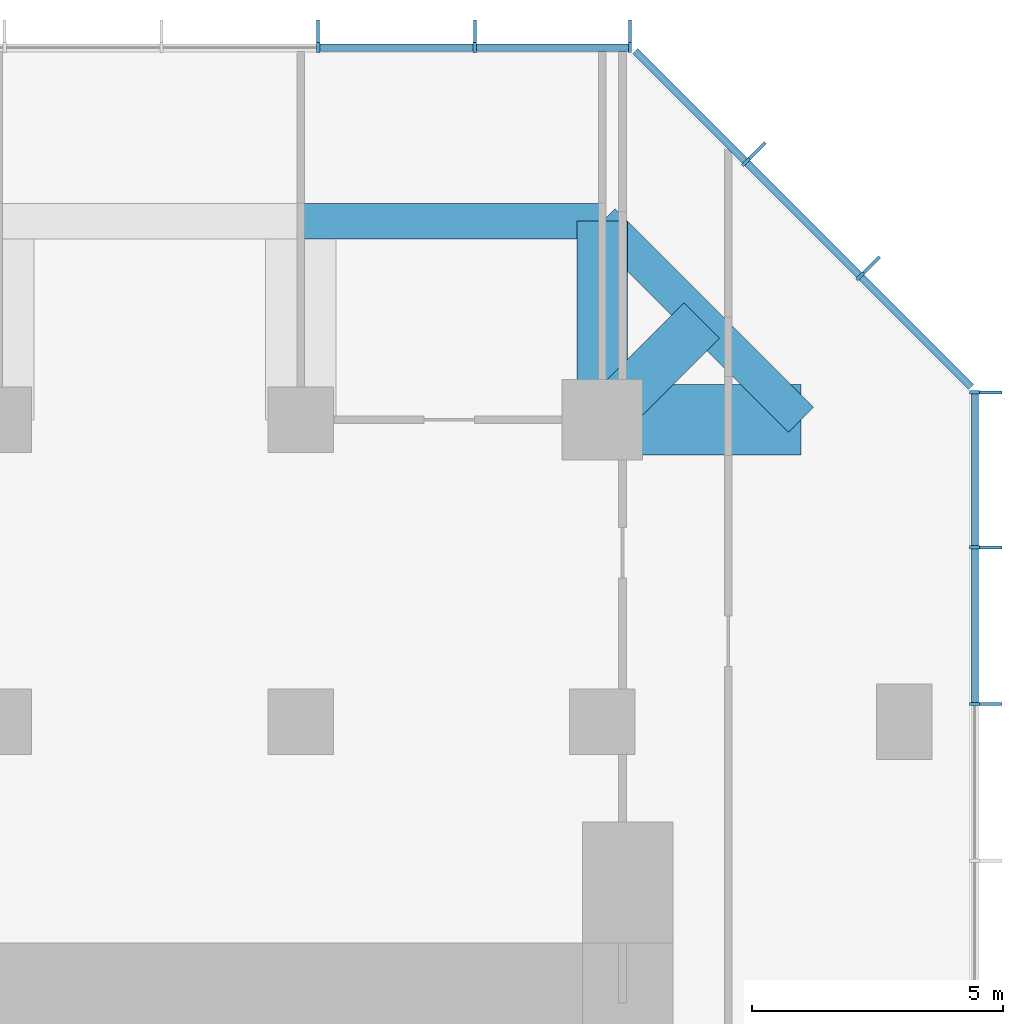
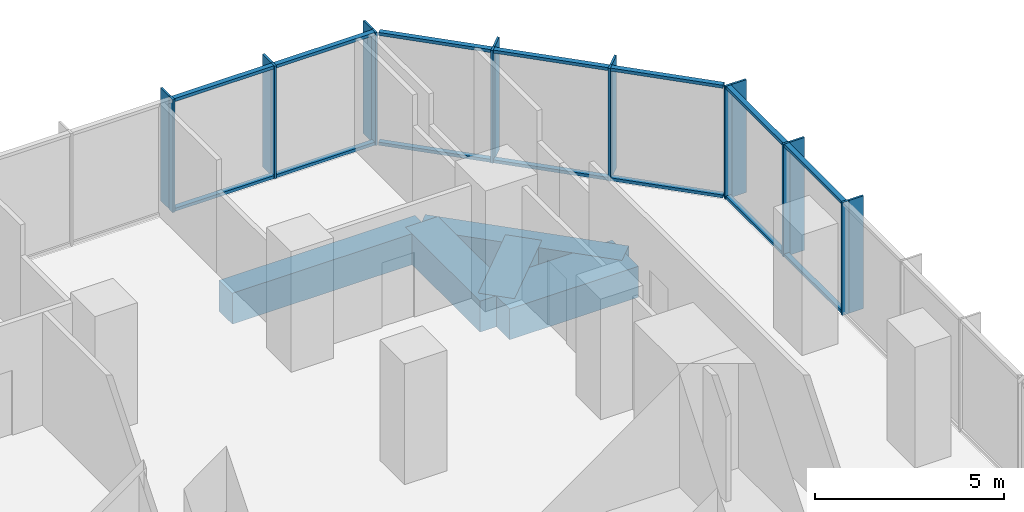
# One storey, part 6 of 11: 30 members, 5 beams, 3 elements without a shape of their own.
"""IFC4 building model written with IfcOpenShell, lengths in metres."""

from ifc_helpers import new_model, si_unit, direction, frame, origin, origin_2d, place, context, subcontext, project, spatial, rectangle, extrude, material, layer, layer_set, material_profile, profile_set, type_object, element, aggregate, save


model = new_model("IFC4")

# Units and contexts
model_context = context("Model", 3, precision=1e-05, world=origin(), true_north=direction((0.0, 1.0)))
body_context = subcontext(model_context, "Body", "Model", "MODEL_VIEW")
ifc_project = project(units=[si_unit("LENGTHUNIT", "METRE"), si_unit("AREAUNIT", "SQUARE_METRE"), si_unit("VOLUMEUNIT", "CUBIC_METRE"), si_unit("PLANEANGLEUNIT", "RADIAN"), si_unit("MASSUNIT", "GRAM", prefix="KILO")], contexts=[model_context])

# Site, building, storey
site_placement = place(None, origin())
site = spatial("IfcSite", under=ifc_project, at=site_placement, CompositionType="ELEMENT")
building_placement = place(site_placement, origin())
building = spatial("IfcBuilding", under=site, at=building_placement, Name="Highveld Stack Headquarters", CompositionType="ELEMENT")
storey_placement = place(building_placement, frame((0.0, 0.0, 208.39990234375)))
storey = spatial("IfcBuildingStorey", under=building, at=storey_placement, Name="L51", CompositionType="ELEMENT", Elevation=208.39990234375)

# Beams
ifc_material_1 = material(Name="Concrete C60/75", Category="concrete")
ifc_material_profile_1 = material_profile(ifc_material_1, rectangle(XDim=1.0, YDim=1.0, at=origin_2d()), Name="RC 1000x1000")
ifc_profile_set_1 = profile_set([ifc_material_profile_1], Name="Concrete C60/75")
beam_type_1 = type_object("IfcBeamType", Name="CANTILEVER RIB RC 1000x1000", PredefinedType="USERDEFINED", material=ifc_profile_set_1)
beam_1_placement = place(storey_placement, frame((18.0, 24.0, -0.75), z_axis=(0.0, 1.0, 0.0), x_axis=(-1.0, 0.0, 0.0)))
element("IfcBeam", 1, at=beam_1_placement, inside=storey, type_object=beam_type_1, Name="Cantilever rib 9/J L51", ObjectType="CANTILEVER RIB", PredefinedType="USERDEFINED", context=body_context, shape_type="SweptSolid", body=[
    extrude(rectangle(XDim=1.0, YDim=1.0, at=origin_2d()), origin(), (0.0, 0.0, 1.0), 3.949951171875),
])
beam_2_placement = place(storey_placement, frame((18.0, 24.0, -0.75), z_axis=(0.707106781187, 0.707106781187, 0.0), x_axis=(-0.707106781187, 0.707106781187, 0.0)))
element("IfcBeam", 2, at=beam_2_placement, inside=storey, type_object=beam_type_1, Name="Cantilever rib 9/J L51", ObjectType="CANTILEVER RIB", PredefinedType="USERDEFINED", context=body_context, shape_type="SweptSolid", body=[
    extrude(rectangle(XDim=1.0, YDim=1.0, at=origin_2d()), origin(), (0.0, 0.0, 1.0), 2.793212890625),
])
ifc_material_2 = material(Name="Concrete C60/75", Category="concrete")
ifc_material_profile_2 = material_profile(ifc_material_2, rectangle(XDim=1.39990234375, YDim=1.0, at=origin_2d()), Name="RC 1400x1000")
ifc_profile_set_2 = profile_set([ifc_material_profile_2], Name="Concrete C60/75")
beam_type_2 = type_object("IfcBeamType", Name="CANTILEVER RIB RC 1400x1000", PredefinedType="USERDEFINED", material=ifc_profile_set_2)
beam_3_placement = place(storey_placement, frame((18.0, 24.0, -0.75), z_axis=(1.0, 0.0, 0.0), x_axis=(0.0, 1.0, 0.0)))
element("IfcBeam", 3, at=beam_3_placement, inside=storey, type_object=beam_type_2, Name="Cantilever rib 9/J L51", ObjectType="CANTILEVER RIB", PredefinedType="USERDEFINED", context=body_context, shape_type="SweptSolid", body=[
    extrude(rectangle(XDim=1.39990234375, YDim=1.0, at=origin_2d()), origin(), (0.0, 0.0, 1.0), 3.949951171875),
])

# Curtain wall, members
ifc_material_3 = material(Name="Aluminium bronze anodised", Category="aluminium")
ifc_layer_1 = layer(ifc_material_3, 0.199951171875)
ifc_layer_set_1 = layer_set([ifc_layer_1], Name="Aluminium bronze anodised")
curtain_wall_type_1 = type_object("IfcCurtainWallType", Name="CW1 TOWER UNITISED CURTAIN WALL", PredefinedType="NOTDEFINED", material=ifc_layer_set_1)
curtain_wall_1_placement = place(storey_placement, origin())
curtain_wall_1 = element("IfcCurtainWall", 4, at=curtain_wall_1_placement, inside=storey, type_object=curtain_wall_type_1, Name="Curtain wall CW1 L51 E", PredefinedType="NOTDEFINED")
ifc_material_4 = material(Name="Aluminium bronze anodised", Category="aluminium")
ifc_material_profile_3 = material_profile(ifc_material_4, rectangle(XDim=0.449951171875, YDim=0.06005859375, at=origin_2d()), Name="FIN 450x60")
ifc_profile_set_3 = profile_set([ifc_material_profile_3], Name="Aluminium bronze anodised")
member_type_1 = type_object("IfcMemberType", Name="CW1 BRONZE FIN 450x60", PredefinedType="USERDEFINED", material=ifc_profile_set_3)
member_1_placement = place(storey_placement, frame((25.72509765625, 18.347900390625, 0.0), z_axis=(0.0, 0.0, 1.0), x_axis=(-1.0, 0.0, 0.0)))
member_1 = element("IfcMember", 5, at=member_1_placement, type_object=member_type_1, Name="CW1 fin L51 9", ObjectType="FIN", PredefinedType="USERDEFINED", context=body_context, shape_type="SweptSolid", body=[
    extrude(rectangle(XDim=0.449951171875, YDim=0.06005859375, at=origin_2d()), origin(), (0.0, 0.0, 1.0), 3.650146484375),
])
member_2_placement = place(storey_placement, frame((25.72509765625, 21.4638671875, 0.0), z_axis=(0.0, 0.0, 1.0), x_axis=(-1.0, 0.0, 0.0)))
member_2 = element("IfcMember", 6, at=member_2_placement, type_object=member_type_1, Name="CW1 fin L51 10", ObjectType="FIN", PredefinedType="USERDEFINED", context=body_context, shape_type="SweptSolid", body=[
    extrude(rectangle(XDim=0.449951171875, YDim=0.06005859375, at=origin_2d()), origin(), (0.0, 0.0, 1.0), 3.650146484375),
])
member_3_placement = place(storey_placement, frame((25.72509765625, 24.54736328125, 0.0), z_axis=(0.0, 0.0, 1.0), x_axis=(-1.0, 0.0, 0.0)))
member_3 = element("IfcMember", 7, at=member_3_placement, type_object=member_type_1, Name="CW1 fin L51 11", ObjectType="FIN", PredefinedType="USERDEFINED", context=body_context, shape_type="SweptSolid", body=[
    extrude(rectangle(XDim=0.449951171875, YDim=0.06005859375, at=origin_2d()), origin(), (0.0, 0.0, 1.0), 3.650146484375),
])

curtain_wall_2_placement = place(storey_placement, origin())
curtain_wall_2 = element("IfcCurtainWall", 8, at=curtain_wall_2_placement, inside=storey, type_object=curtain_wall_type_1, Name="Curtain wall CW1 L51 N", PredefinedType="NOTDEFINED")
member_4_placement = place(storey_placement, frame((18.54736328125, 31.72509765625, 0.0), z_axis=(0.0, 0.0, 1.0), x_axis=(0.0, -1.0, 0.0)))
member_4 = element("IfcMember", 9, at=member_4_placement, type_object=member_type_1, Name="CW1 fin L51 1", ObjectType="FIN", PredefinedType="USERDEFINED", context=body_context, shape_type="SweptSolid", body=[
    extrude(rectangle(XDim=0.449951171875, YDim=0.06005859375, at=origin_2d()), origin(), (0.0, 0.0, 1.0), 3.650146484375),
])
member_5_placement = place(storey_placement, frame((15.4638671875, 31.72509765625, 0.0), z_axis=(0.0, 0.0, 1.0), x_axis=(0.0, -1.0, 0.0)))
member_5 = element("IfcMember", 10, at=member_5_placement, type_object=member_type_1, Name="CW1 fin L51 2", ObjectType="FIN", PredefinedType="USERDEFINED", context=body_context, shape_type="SweptSolid", body=[
    extrude(rectangle(XDim=0.449951171875, YDim=0.06005859375, at=origin_2d()), origin(), (0.0, 0.0, 1.0), 3.650146484375),
])
member_6_placement = place(storey_placement, frame((12.347900390625, 31.72509765625, 0.0), z_axis=(0.0, 0.0, 1.0), x_axis=(0.0, -1.0, 0.0)))
member_6 = element("IfcMember", 11, at=member_6_placement, type_object=member_type_1, Name="CW1 fin L51 3", ObjectType="FIN", PredefinedType="USERDEFINED", context=body_context, shape_type="SweptSolid", body=[
    extrude(rectangle(XDim=0.449951171875, YDim=0.06005859375, at=origin_2d()), origin(), (0.0, 0.0, 1.0), 3.650146484375),
])

# Member
ifc_material_5 = material(Name="Aluminium bronze anodised", Category="aluminium")
ifc_material_profile_4 = material_profile(ifc_material_5, rectangle(XDim=0.199951171875, YDim=0.06494140625, at=origin_2d()), Name="CW1 MULLION 65x200")
ifc_profile_set_4 = profile_set([ifc_material_profile_4], Name="Aluminium bronze anodised")
member_type_2 = type_object("IfcMemberType", Name="CW1 MULLION 65x200", PredefinedType="MULLION", material=ifc_profile_set_4)
member_7_placement = place(storey_placement, frame((25.39990234375, 18.347900390625, 0.0), z_axis=(0.0, 0.0, 1.0), x_axis=(-1.0, 0.0, 0.0)))
member_7 = element("IfcMember", 12, at=member_7_placement, type_object=member_type_2, Name="CW1 mullion L51 9", PredefinedType="MULLION", context=body_context, shape_type="SweptSolid", body=[
    extrude(rectangle(XDim=0.199951171875, YDim=0.06494140625, at=origin_2d()), origin(), (0.0, 0.0, 1.0), 3.650146484375),
])

member_8_placement = place(storey_placement, frame((25.39990234375, 21.4638671875, 0.0), z_axis=(0.0, 0.0, 1.0), x_axis=(-1.0, 0.0, 0.0)))
member_8 = element("IfcMember", 13, at=member_8_placement, type_object=member_type_2, Name="CW1 mullion L51 10", PredefinedType="MULLION", context=body_context, shape_type="SweptSolid", body=[
    extrude(rectangle(XDim=0.199951171875, YDim=0.06494140625, at=origin_2d()), origin(), (0.0, 0.0, 1.0), 3.650146484375),
])

member_9_placement = place(storey_placement, frame((25.39990234375, 24.54736328125, 0.0), z_axis=(0.0, 0.0, 1.0), x_axis=(-1.0, 0.0, 0.0)))
member_9 = element("IfcMember", 14, at=member_9_placement, type_object=member_type_2, Name="CW1 mullion L51 11", PredefinedType="MULLION", context=body_context, shape_type="SweptSolid", body=[
    extrude(rectangle(XDim=0.199951171875, YDim=0.06494140625, at=origin_2d()), origin(), (0.0, 0.0, 1.0), 3.650146484375),
])

member_10_placement = place(storey_placement, frame((18.54736328125, 31.39990234375, 0.0), z_axis=(0.0, 0.0, 1.0), x_axis=(0.0, -1.0, 0.0)))
member_10 = element("IfcMember", 15, at=member_10_placement, type_object=member_type_2, Name="CW1 mullion L51 1", PredefinedType="MULLION", context=body_context, shape_type="SweptSolid", body=[
    extrude(rectangle(XDim=0.199951171875, YDim=0.06494140625, at=origin_2d()), origin(), (0.0, 0.0, 1.0), 3.650146484375),
])

member_11_placement = place(storey_placement, frame((15.4638671875, 31.39990234375, 0.0), z_axis=(0.0, 0.0, 1.0), x_axis=(0.0, -1.0, 0.0)))
member_11 = element("IfcMember", 16, at=member_11_placement, type_object=member_type_2, Name="CW1 mullion L51 2", PredefinedType="MULLION", context=body_context, shape_type="SweptSolid", body=[
    extrude(rectangle(XDim=0.199951171875, YDim=0.06494140625, at=origin_2d()), origin(), (0.0, 0.0, 1.0), 3.650146484375),
])

member_12_placement = place(storey_placement, frame((12.347900390625, 31.39990234375, 0.0), z_axis=(0.0, 0.0, 1.0), x_axis=(0.0, -1.0, 0.0)))
member_12 = element("IfcMember", 17, at=member_12_placement, type_object=member_type_2, Name="CW1 mullion L51 3", PredefinedType="MULLION", context=body_context, shape_type="SweptSolid", body=[
    extrude(rectangle(XDim=0.199951171875, YDim=0.06494140625, at=origin_2d()), origin(), (0.0, 0.0, 1.0), 3.650146484375),
])

ifc_material_6 = material(Name="Aluminium bronze anodised", Category="aluminium")
ifc_material_profile_5 = material_profile(ifc_material_6, rectangle(XDim=0.14990234375, YDim=0.10009765625, at=origin_2d()), Name="CW1 TRANSOM 150x100")
ifc_profile_set_5 = profile_set([ifc_material_profile_5], Name="Aluminium bronze anodised")
member_type_3 = type_object("IfcMemberType", Name="CW1 STACK TRANSOM 150x100", PredefinedType="USERDEFINED", material=ifc_profile_set_5)
member_13_placement = place(storey_placement, frame((25.39990234375, 18.38037109375, 0.050048828125), z_axis=(0.0, 1.0, 0.0), x_axis=(-1.0, 0.0, 0.0)))
member_13 = element("IfcMember", 18, at=member_13_placement, type_object=member_type_3, Name="CW1 transom L51 9.1", ObjectType="TRANSOM", PredefinedType="USERDEFINED", context=body_context, shape_type="SweptSolid", body=[
    extrude(rectangle(XDim=0.14990234375, YDim=0.10009765625, at=origin_2d()), origin(), (0.0, 0.0, 1.0), 3.051025390625),
])

member_14_placement = place(storey_placement, frame((25.39990234375, 18.38037109375, 3.60009765625), z_axis=(0.0, 1.0, 0.0), x_axis=(-1.0, 0.0, 0.0)))
member_14 = element("IfcMember", 19, at=member_14_placement, type_object=member_type_3, Name="CW1 transom L51 9.2", ObjectType="TRANSOM", PredefinedType="USERDEFINED", context=body_context, shape_type="SweptSolid", body=[
    extrude(rectangle(XDim=0.14990234375, YDim=0.10009765625, at=origin_2d()), origin(), (0.0, 0.0, 1.0), 3.051025390625),
])

member_15_placement = place(storey_placement, frame((25.39990234375, 21.496337890625, 0.050048828125), z_axis=(0.0, 1.0, 0.0), x_axis=(-1.0, 0.0, 0.0)))
member_15 = element("IfcMember", 20, at=member_15_placement, type_object=member_type_3, Name="CW1 transom L51 10.1", ObjectType="TRANSOM", PredefinedType="USERDEFINED", context=body_context, shape_type="SweptSolid", body=[
    extrude(rectangle(XDim=0.14990234375, YDim=0.10009765625, at=origin_2d()), origin(), (0.0, 0.0, 1.0), 3.0185546875),
])

member_16_placement = place(storey_placement, frame((25.39990234375, 21.496337890625, 3.60009765625), z_axis=(0.0, 1.0, 0.0), x_axis=(-1.0, 0.0, 0.0)))
member_16 = element("IfcMember", 21, at=member_16_placement, type_object=member_type_3, Name="CW1 transom L51 10.2", ObjectType="TRANSOM", PredefinedType="USERDEFINED", context=body_context, shape_type="SweptSolid", body=[
    extrude(rectangle(XDim=0.14990234375, YDim=0.10009765625, at=origin_2d()), origin(), (0.0, 0.0, 1.0), 3.0185546875),
])

aggregate(curtain_wall_1, [member_7, member_1, member_8, member_2, member_9, member_3, member_13, member_14, member_15, member_16])

member_17_placement = place(storey_placement, frame((18.514892578125, 31.39990234375, 0.050048828125), z_axis=(-1.0, 0.0, 0.0), x_axis=(0.0, -1.0, 0.0)))
member_17 = element("IfcMember", 22, at=member_17_placement, type_object=member_type_3, Name="CW1 transom L51 1.1", ObjectType="TRANSOM", PredefinedType="USERDEFINED", context=body_context, shape_type="SweptSolid", body=[
    extrude(rectangle(XDim=0.14990234375, YDim=0.10009765625, at=origin_2d()), origin(), (0.0, 0.0, 1.0), 3.0185546875),
])

member_18_placement = place(storey_placement, frame((18.514892578125, 31.39990234375, 3.60009765625), z_axis=(-1.0, 0.0, 0.0), x_axis=(0.0, -1.0, 0.0)))
member_18 = element("IfcMember", 23, at=member_18_placement, type_object=member_type_3, Name="CW1 transom L51 1.2", ObjectType="TRANSOM", PredefinedType="USERDEFINED", context=body_context, shape_type="SweptSolid", body=[
    extrude(rectangle(XDim=0.14990234375, YDim=0.10009765625, at=origin_2d()), origin(), (0.0, 0.0, 1.0), 3.0185546875),
])

member_19_placement = place(storey_placement, frame((15.431396484375, 31.39990234375, 0.050048828125), z_axis=(-1.0, 0.0, 0.0), x_axis=(0.0, -1.0, 0.0)))
member_19 = element("IfcMember", 24, at=member_19_placement, type_object=member_type_3, Name="CW1 transom L51 2.1", ObjectType="TRANSOM", PredefinedType="USERDEFINED", context=body_context, shape_type="SweptSolid", body=[
    extrude(rectangle(XDim=0.14990234375, YDim=0.10009765625, at=origin_2d()), origin(), (0.0, 0.0, 1.0), 3.051025390625),
])

member_20_placement = place(storey_placement, frame((15.431396484375, 31.39990234375, 3.60009765625), z_axis=(-1.0, 0.0, 0.0), x_axis=(0.0, -1.0, 0.0)))
member_20 = element("IfcMember", 25, at=member_20_placement, type_object=member_type_3, Name="CW1 transom L51 2.2", ObjectType="TRANSOM", PredefinedType="USERDEFINED", context=body_context, shape_type="SweptSolid", body=[
    extrude(rectangle(XDim=0.14990234375, YDim=0.10009765625, at=origin_2d()), origin(), (0.0, 0.0, 1.0), 3.051025390625),
])

aggregate(curtain_wall_2, [member_10, member_4, member_11, member_5, member_12, member_6, member_17, member_18, member_19, member_20])

# Curtain wall, members
ifc_material_7 = material(Name="Aluminium bronze anodised", Category="aluminium")
ifc_layer_2 = layer(ifc_material_7, 0.199951171875)
ifc_layer_set_2 = layer_set([ifc_layer_2], Name="Aluminium bronze anodised")
curtain_wall_type_2 = type_object("IfcCurtainWallType", Name="CW2 TOWER CHAMFER UNITISED CURTAIN WALL", PredefinedType="NOTDEFINED", material=ifc_layer_set_2)
curtain_wall_3_placement = place(storey_placement, origin())
curtain_wall_3 = element("IfcCurtainWall", 26, at=curtain_wall_3_placement, inside=storey, type_object=curtain_wall_type_2, Name="Curtain wall CW2 L51 NE", PredefinedType="NOTDEFINED")
ifc_material_8 = material(Name="Aluminium bronze anodised", Category="aluminium")
ifc_material_profile_6 = material_profile(ifc_material_8, rectangle(XDim=0.449951171875, YDim=0.06005859375, at=origin_2d()), Name="FIN 450x60")
ifc_profile_set_6 = profile_set([ifc_material_profile_6], Name="Aluminium bronze anodised")
member_type_4 = type_object("IfcMemberType", Name="CW2 BRONZE FIN 450x60", PredefinedType="USERDEFINED", material=ifc_profile_set_6)
member_21_placement = place(storey_placement, frame((23.3564453125, 27.0830078125, 0.0), z_axis=(0.0, 0.0, 1.0), x_axis=(-0.707106781187, -0.707106781187, 0.0)))
member_21 = element("IfcMember", 27, at=member_21_placement, type_object=member_type_4, Name="CW2 fin L51 1", ObjectType="FIN", PredefinedType="USERDEFINED", context=body_context, shape_type="SweptSolid", body=[
    extrude(rectangle(XDim=0.449951171875, YDim=0.06005859375, at=origin_2d()), origin(), (0.0, 0.0, 1.0), 3.650146484375),
])
member_22_placement = place(storey_placement, frame((21.0830078125, 29.3564453125, 0.0), z_axis=(0.0, 0.0, 1.0), x_axis=(-0.707106781187, -0.707106781187, 0.0)))
member_22 = element("IfcMember", 28, at=member_22_placement, type_object=member_type_4, Name="CW2 fin L51 2", ObjectType="FIN", PredefinedType="USERDEFINED", context=body_context, shape_type="SweptSolid", body=[
    extrude(rectangle(XDim=0.449951171875, YDim=0.06005859375, at=origin_2d()), origin(), (0.0, 0.0, 1.0), 3.650146484375),
])
ifc_material_9 = material(Name="Aluminium bronze anodised", Category="aluminium")
ifc_material_profile_7 = material_profile(ifc_material_9, rectangle(XDim=0.199951171875, YDim=0.06494140625, at=origin_2d()), Name="CW2 MULLION 65x200")
ifc_profile_set_7 = profile_set([ifc_material_profile_7], Name="Aluminium bronze anodised")
member_type_5 = type_object("IfcMemberType", Name="CW2 MULLION 65x200", PredefinedType="MULLION", material=ifc_profile_set_7)
member_23_placement = place(storey_placement, frame((23.126708984375, 26.853271484375, 0.0), z_axis=(0.0, 0.0, 1.0), x_axis=(-0.707106781187, -0.707106781187, 0.0)))
member_23 = element("IfcMember", 29, at=member_23_placement, type_object=member_type_5, Name="CW2 mullion L51 1", PredefinedType="MULLION", context=body_context, shape_type="SweptSolid", body=[
    extrude(rectangle(XDim=0.199951171875, YDim=0.06494140625, at=origin_2d()), origin(), (0.0, 0.0, 1.0), 3.650146484375),
])
member_24_placement = place(storey_placement, frame((20.853271484375, 29.126708984375, 0.0), z_axis=(0.0, 0.0, 1.0), x_axis=(-0.707106781187, -0.707106781187, 0.0)))
member_24 = element("IfcMember", 30, at=member_24_placement, type_object=member_type_5, Name="CW2 mullion L51 2", PredefinedType="MULLION", context=body_context, shape_type="SweptSolid", body=[
    extrude(rectangle(XDim=0.199951171875, YDim=0.06494140625, at=origin_2d()), origin(), (0.0, 0.0, 1.0), 3.650146484375),
])
ifc_material_10 = material(Name="Aluminium bronze anodised", Category="aluminium")
ifc_material_profile_8 = material_profile(ifc_material_10, rectangle(XDim=0.14990234375, YDim=0.10009765625, at=origin_2d()), Name="CW2 TRANSOM 150x100")
ifc_profile_set_8 = profile_set([ifc_material_profile_8], Name="Aluminium bronze anodised")
member_type_6 = type_object("IfcMemberType", Name="CW2 STACK TRANSOM 150x100", PredefinedType="USERDEFINED", material=ifc_profile_set_8)
member_25_placement = place(storey_placement, frame((25.329345703125, 24.650634765625, 0.050048828125), z_axis=(-0.707106781187, 0.707106781187, 0.0), x_axis=(-0.707106781187, -0.707106781187, 0.0)))
member_25 = element("IfcMember", 31, at=member_25_placement, type_object=member_type_6, Name="CW2 transom L51 1.1", ObjectType="TRANSOM", PredefinedType="USERDEFINED", context=body_context, shape_type="SweptSolid", body=[
    extrude(rectangle(XDim=0.14990234375, YDim=0.10009765625, at=origin_2d()), origin(), (0.0, 0.0, 1.0), 3.08251953125),
])
member_26_placement = place(storey_placement, frame((25.329345703125, 24.650634765625, 3.60009765625), z_axis=(-0.707106781187, 0.707106781187, 0.0), x_axis=(-0.707106781187, -0.707106781187, 0.0)))
member_26 = element("IfcMember", 32, at=member_26_placement, type_object=member_type_6, Name="CW2 transom L51 1.2", ObjectType="TRANSOM", PredefinedType="USERDEFINED", context=body_context, shape_type="SweptSolid", body=[
    extrude(rectangle(XDim=0.14990234375, YDim=0.10009765625, at=origin_2d()), origin(), (0.0, 0.0, 1.0), 3.08251953125),
])
member_27_placement = place(storey_placement, frame((23.103759765625, 26.876220703125, 0.050048828125), z_axis=(-0.707106781187, 0.707106781187, 0.0), x_axis=(-0.707106781187, -0.707106781187, 0.0)))
member_27 = element("IfcMember", 33, at=member_27_placement, type_object=member_type_6, Name="CW2 transom L51 2.1", ObjectType="TRANSOM", PredefinedType="USERDEFINED", context=body_context, shape_type="SweptSolid", body=[
    extrude(rectangle(XDim=0.14990234375, YDim=0.10009765625, at=origin_2d()), origin(), (0.0, 0.0, 1.0), 3.150146484375),
])
member_28_placement = place(storey_placement, frame((23.103759765625, 26.876220703125, 3.60009765625), z_axis=(-0.707106781187, 0.707106781187, 0.0), x_axis=(-0.707106781187, -0.707106781187, 0.0)))
member_28 = element("IfcMember", 34, at=member_28_placement, type_object=member_type_6, Name="CW2 transom L51 2.2", ObjectType="TRANSOM", PredefinedType="USERDEFINED", context=body_context, shape_type="SweptSolid", body=[
    extrude(rectangle(XDim=0.14990234375, YDim=0.10009765625, at=origin_2d()), origin(), (0.0, 0.0, 1.0), 3.150146484375),
])
member_29_placement = place(storey_placement, frame((20.830322265625, 29.149658203125, 0.050048828125), z_axis=(-0.707106781187, 0.707106781187, 0.0), x_axis=(-0.707106781187, -0.707106781187, 0.0)))
member_29 = element("IfcMember", 35, at=member_29_placement, type_object=member_type_6, Name="CW2 transom L51 3.1", ObjectType="TRANSOM", PredefinedType="USERDEFINED", context=body_context, shape_type="SweptSolid", body=[
    extrude(rectangle(XDim=0.14990234375, YDim=0.10009765625, at=origin_2d()), origin(), (0.0, 0.0, 1.0), 3.08251953125),
])
member_30_placement = place(storey_placement, frame((20.830322265625, 29.149658203125, 3.60009765625), z_axis=(-0.707106781187, 0.707106781187, 0.0), x_axis=(-0.707106781187, -0.707106781187, 0.0)))
member_30 = element("IfcMember", 36, at=member_30_placement, type_object=member_type_6, Name="CW2 transom L51 3.2", ObjectType="TRANSOM", PredefinedType="USERDEFINED", context=body_context, shape_type="SweptSolid", body=[
    extrude(rectangle(XDim=0.14990234375, YDim=0.10009765625, at=origin_2d()), origin(), (0.0, 0.0, 1.0), 3.08251953125),
])
aggregate(curtain_wall_3, [member_23, member_21, member_24, member_22, member_25, member_26, member_27, member_28, member_29, member_30])

# Beams
ifc_material_11 = material(Name="Concrete C60/75", Category="concrete")
ifc_material_profile_9 = material_profile(ifc_material_11, rectangle(XDim=0.699951171875, YDim=1.0, at=origin_2d()), Name="RC 700x1000")
ifc_profile_set_9 = profile_set([ifc_material_profile_9], Name="Concrete C60/75")
beam_type_3 = type_object("IfcBeamType", Name="RIB TIP BEAM RC 700x1000", PredefinedType="SPANDREL", material=ifc_profile_set_9)
beam_4_placement = place(storey_placement, frame((12.0, 27.949951171875, -0.75), z_axis=(1.0, 0.0, 0.0), x_axis=(0.0, 1.0, 0.0)))
element("IfcBeam", 37, at=beam_4_placement, inside=storey, type_object=beam_type_3, Name="Rib tip beam 8/J to 9/J L51", PredefinedType="SPANDREL", context=body_context, shape_type="SweptSolid", body=[
    extrude(rectangle(XDim=0.699951171875, YDim=1.0, at=origin_2d()), origin(), (0.0, 0.0, 1.0), 6.0),
])
beam_5_placement = place(storey_placement, frame((21.949951171875, 24.0, -0.75), z_axis=(-0.707106781187, 0.707106781187, 0.0), x_axis=(-0.707106781187, -0.707106781187, 0.0)))
element("IfcBeam", 38, at=beam_5_placement, inside=storey, type_object=beam_type_3, Name="Rib tip beam 9/J corner L51", PredefinedType="SPANDREL", context=body_context, shape_type="SweptSolid", body=[
    extrude(rectangle(XDim=0.699951171875, YDim=1.0, at=origin_2d()), origin(), (0.0, 0.0, 1.0), 5.586181640625),
])

save(model, "model.ifc")
